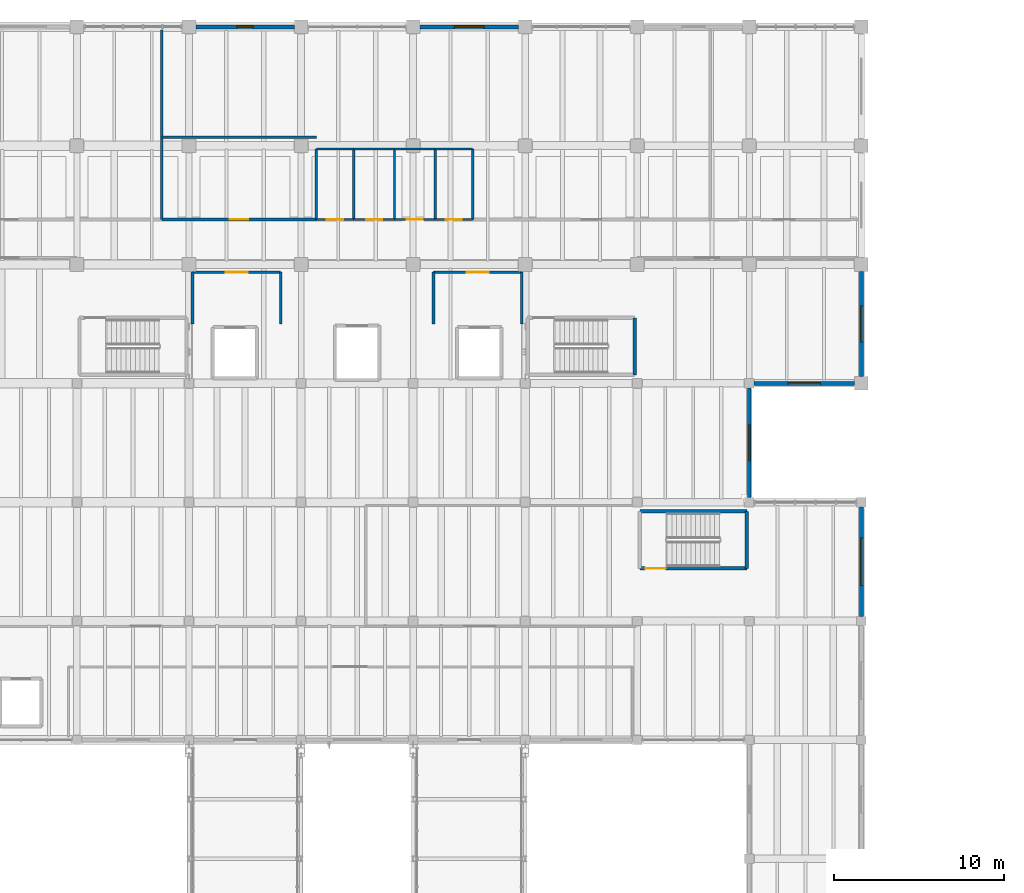
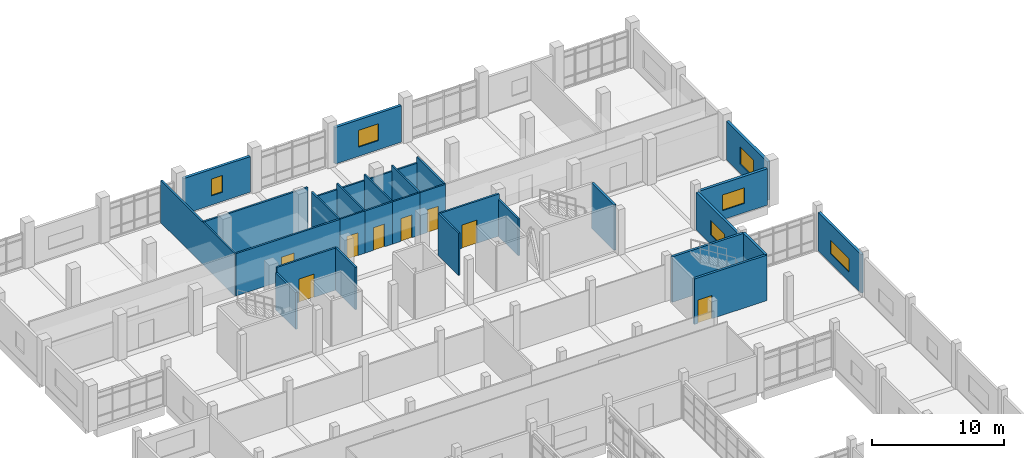
# One storey, part 54 of 67: 32 walls, 8 doors, 6 windows, 14 openings.
"""IFC4 building model written with IfcOpenShell, lengths in metres."""

from ifc_helpers import new_model, si_unit, direction, frame, frame_2d, origin, place, context, subcontext, project, spatial, rectangle, extrude, material, layer, layer_set, type_object, element, fill, save


model = new_model("IFC4")

# Units and contexts
model_context = context("Model", 3, precision=1e-05, world=origin(), true_north=direction((0.0, 1.0)))
body_context = subcontext(model_context, "Body", "Model", "MODEL_VIEW")
ifc_project = project(units=[si_unit("LENGTHUNIT", "METRE"), si_unit("AREAUNIT", "SQUARE_METRE"), si_unit("VOLUMEUNIT", "CUBIC_METRE"), si_unit("PLANEANGLEUNIT", "RADIAN"), si_unit("MASSUNIT", "GRAM", prefix="KILO")], contexts=[model_context])

# Site, building, storey
site_placement = place(None, origin())
site = spatial("IfcSite", under=ifc_project, at=site_placement, CompositionType="ELEMENT")
building_placement = place(site_placement, origin())
building = spatial("IfcBuilding", under=site, at=building_placement, Name="Ciguamira Faculty of Natural Sciences", CompositionType="ELEMENT")
storey_placement = place(building_placement, frame((0.0, 0.0, 8.39990234375)))
storey = spatial("IfcBuildingStorey", under=building, at=storey_placement, Name="L02", CompositionType="ELEMENT", Elevation=8.39990234375)

# Wall, opening, window
ifc_material_1 = material(Name="Precast concrete C40/50", Category="concrete")
ifc_layer_1 = layer(ifc_material_1, 0.239990234375, Name="Precast concrete C40/50")
ifc_layer_set_1 = layer_set([ifc_layer_1], Name="Precast concrete C40/50")
wall_type_1 = type_object("IfcWallType", Name="ExtWall_EW-02_240", PredefinedType="SOLIDWALL", material=ifc_layer_set_1)
wall_1_placement = place(storey_placement, frame((110.375, 94.0, 0.0), z_axis=(0.0, 0.0, 1.0), x_axis=(1.0, 0.0, 0.0)))
wall_1 = element("IfcWall", 1, at=wall_1_placement, inside=storey, type_object=wall_type_1, Name="L02 exterior wall 0226", PredefinedType="SOLIDWALL", context=body_context, shape_type="SweptSolid", body=[
    extrude(rectangle(XDim=5.925048828125, YDim=0.239990234375, at=frame_2d((2.96240234375, 0.0))), origin(), (0.0, 0.0, 1.0), 3.34521484375),
])
opening_1_placement = place(wall_1_placement, frame((2.012451171875, 0.0, 0.85009765625)))
opening_1 = element("IfcOpeningElement", 2, at=opening_1_placement, cuts=wall_1, Name="Opening WT-30", PredefinedType="OPENING", context=body_context, shape_type="SweptSolid", body=[
    extrude(rectangle(XDim=1.89990234375, YDim=1.449951171875, at=frame_2d((0.949951171875, 0.72509765625))), frame((0.0, 0.1298828125, 0.0), z_axis=(0.0, -1.0, 0.0), x_axis=(1.0, 0.0, 0.0)), (0.0, 0.0, 1.0), 0.260009765625),
])
ifc_material_2 = material(Name="Hurricane laminated solar glass", Category="glass")
window_type_1 = type_object("IfcWindowType", Name="Window_WT-30_1900x1450", PartitioningType="DOUBLE_PANEL_VERTICAL", PredefinedType="WINDOW", material=ifc_material_2)
window_1_placement = place(opening_1_placement, origin())
window_1 = element("IfcWindow", 3, at=window_1_placement, inside=storey, type_object=window_type_1, Name="L02 facade window 0133", OverallHeight=1.449951171875, OverallWidth=1.89990234375, PartitioningType="SINGLE_PANEL", PredefinedType="WINDOW", context=body_context, shape_type="SweptSolid", body=[
    extrude(rectangle(XDim=1.89990234375, YDim=1.449951171875, at=frame_2d((0.949951171875, 0.72509765625))), frame((0.0, 0.030029296875, 0.0), z_axis=(0.0, -1.0, 0.0), x_axis=(1.0, 0.0, 0.0)), (0.0, 0.0, 1.0), 0.06005859375),
])
fill(opening_1, window_1)

wall_2_placement = place(storey_placement, frame((77.5, 115.0, 0.0), z_axis=(0.0, 0.0, 1.0), x_axis=(1.0, 0.0, 0.0)))
wall_2 = element("IfcWall", 4, at=wall_2_placement, inside=storey, type_object=wall_type_1, Name="L02 exterior wall 0228", PredefinedType="SOLIDWALL", context=body_context, shape_type="SweptSolid", body=[
    extrude(rectangle(XDim=5.800048828125, YDim=0.239990234375, at=frame_2d((2.89990234375, 0.0))), origin(), (0.0, 0.0, 1.0), 3.28515625),
])
opening_2_placement = place(wall_2_placement, frame((2.425048828125, 0.0, 0.85009765625)))
opening_2 = element("IfcOpeningElement", 5, at=opening_2_placement, cuts=wall_2, Name="Opening WT-36", PredefinedType="OPENING", context=body_context, shape_type="SweptSolid", body=[
    extrude(rectangle(XDim=0.949951171875, YDim=1.550048828125, at=frame_2d((0.47509765625, 0.77490234375))), frame((0.0, 0.1298828125, 0.0), z_axis=(0.0, -1.0, 0.0), x_axis=(1.0, 0.0, 0.0)), (0.0, 0.0, 1.0), 0.260009765625),
])
window_type_2 = type_object("IfcWindowType", Name="Window_WT-36_950x1550", PartitioningType="DOUBLE_PANEL_VERTICAL", PredefinedType="WINDOW", material=ifc_material_2)
window_2_placement = place(opening_2_placement, origin())
window_2 = element("IfcWindow", 6, at=window_2_placement, inside=storey, type_object=window_type_2, Name="L02 facade window 0135", OverallHeight=1.550048828125, OverallWidth=0.949951171875, PartitioningType="SINGLE_PANEL", PredefinedType="WINDOW", context=body_context, shape_type="SweptSolid", body=[
    extrude(rectangle(XDim=0.949951171875, YDim=1.550048828125, at=frame_2d((0.47509765625, 0.77490234375))), frame((0.0, 0.030029296875, 0.0), z_axis=(0.0, -1.0, 0.0), x_axis=(1.0, 0.0, 0.0)), (0.0, 0.0, 1.0), 0.06005859375),
])
fill(opening_2, window_2)

wall_3_placement = place(storey_placement, frame((90.699951171875, 115.0, 0.0), z_axis=(0.0, 0.0, 1.0), x_axis=(1.0, 0.0, 0.0)))
wall_3 = element("IfcWall", 7, at=wall_3_placement, inside=storey, type_object=wall_type_1, Name="L02 exterior wall 0229", PredefinedType="SOLIDWALL", context=body_context, shape_type="SweptSolid", body=[
    extrude(rectangle(XDim=5.800048828125, YDim=0.239990234375, at=frame_2d((2.89990234375, 0.0))), origin(), (0.0, 0.0, 1.0), 3.364990234375),
])
opening_3_placement = place(wall_3_placement, frame((2.02490234375, 0.0, 0.85009765625)))
opening_3 = element("IfcOpeningElement", 8, at=opening_3_placement, cuts=wall_3, Name="Opening WT-39", PredefinedType="OPENING", context=body_context, shape_type="SweptSolid", body=[
    extrude(rectangle(XDim=1.75, YDim=1.550048828125, at=frame_2d((0.875, 0.77490234375))), frame((0.0, 0.1298828125, 0.0), z_axis=(0.0, -1.0, 0.0), x_axis=(1.0, 0.0, 0.0)), (0.0, 0.0, 1.0), 0.260009765625),
])
window_type_3 = type_object("IfcWindowType", Name="Window_WT-39_1750x1550", PartitioningType="DOUBLE_PANEL_VERTICAL", PredefinedType="WINDOW", material=ifc_material_2)
window_3_placement = place(opening_3_placement, origin())
window_3 = element("IfcWindow", 9, at=window_3_placement, inside=storey, type_object=window_type_3, Name="L02 facade window 0136", OverallHeight=1.550048828125, OverallWidth=1.75, PartitioningType="SINGLE_PANEL", PredefinedType="WINDOW", context=body_context, shape_type="SweptSolid", body=[
    extrude(rectangle(XDim=1.75, YDim=1.550048828125, at=frame_2d((0.875, 0.77490234375))), frame((0.0, 0.030029296875, 0.0), z_axis=(0.0, -1.0, 0.0), x_axis=(1.0, 0.0, 0.0)), (0.0, 0.0, 1.0), 0.06005859375),
])
fill(opening_3, window_3)

wall_4_placement = place(storey_placement, frame((116.699951171875, 94.39990234375, 0.0), z_axis=(0.0, 0.0, 1.0), x_axis=(0.0, 1.0, 0.0)))
wall_4 = element("IfcWall", 10, at=wall_4_placement, inside=storey, type_object=wall_type_1, Name="L02 exterior wall 0259", PredefinedType="SOLIDWALL", context=body_context, shape_type="SweptSolid", body=[
    extrude(rectangle(XDim=6.2001953125, YDim=0.239990234375, at=frame_2d((3.10009765625, 0.0))), origin(), (0.0, 0.0, 1.0), 3.565185546875),
])
opening_4_placement = place(wall_4_placement, frame((2.050048828125, 0.0, 0.85009765625)))
opening_4 = element("IfcOpeningElement", 11, at=opening_4_placement, cuts=wall_4, Name="Opening WT-22", PredefinedType="OPENING", context=body_context, shape_type="SweptSolid", body=[
    extrude(rectangle(XDim=2.10009765625, YDim=1.60009765625, at=frame_2d((1.050048828125, 0.800048828125))), frame((0.0, 0.1298828125, 0.0), z_axis=(0.0, -1.0, 0.0), x_axis=(1.0, 0.0, 0.0)), (0.0, 0.0, 1.0), 0.260009765625),
])
window_type_4 = type_object("IfcWindowType", Name="Window_WT-22_2100x1600", PartitioningType="DOUBLE_PANEL_VERTICAL", PredefinedType="WINDOW", material=ifc_material_2)
window_4_placement = place(opening_4_placement, origin())
window_4 = element("IfcWindow", 12, at=window_4_placement, inside=storey, type_object=window_type_4, Name="L02 facade window 0164", OverallHeight=1.60009765625, OverallWidth=2.10009765625, PartitioningType="SINGLE_PANEL", PredefinedType="WINDOW", context=body_context, shape_type="SweptSolid", body=[
    extrude(rectangle(XDim=2.10009765625, YDim=1.60009765625, at=frame_2d((1.050048828125, 0.800048828125))), frame((0.0, 0.030029296875, 0.0), z_axis=(0.0, -1.0, 0.0), x_axis=(1.0, 0.0, 0.0)), (0.0, 0.0, 1.0), 0.06005859375),
])
fill(opening_4, window_4)

ifc_layer_2 = layer(ifc_material_1, 0.219970703125, Name="Precast concrete C40/50")
ifc_layer_set_2 = layer_set([ifc_layer_2], Name="Precast concrete C40/50")
wall_type_2 = type_object("IfcWallType", Name="ExtWall_EW-03_220", PredefinedType="SOLIDWALL", material=ifc_layer_set_2)
wall_5_placement = place(storey_placement, frame((110.10009765625, 87.27490234375, 0.0), z_axis=(0.0, 0.0, 1.0), x_axis=(0.0, 1.0, 0.0)))
wall_5 = element("IfcWall", 13, at=wall_5_placement, inside=storey, type_object=wall_type_2, Name="L02 exterior wall 0251", PredefinedType="SOLIDWALL", context=body_context, shape_type="SweptSolid", body=[
    extrude(rectangle(XDim=6.4501953125, YDim=0.219970703125, at=frame_2d((3.22509765625, 0.0))), origin(), (0.0, 0.0, 1.0), 3.465087890625),
])
opening_5_placement = place(wall_5_placement, frame((2.175048828125, 0.0, 0.85009765625)))
opening_5 = element("IfcOpeningElement", 14, at=opening_5_placement, cuts=wall_5, Name="Opening WT-06", PredefinedType="OPENING", context=body_context, shape_type="SweptSolid", body=[
    extrude(rectangle(XDim=2.10009765625, YDim=1.35009765625, at=frame_2d((1.050048828125, 0.675048828125))), frame((0.0, 0.119873046875, 0.0), z_axis=(0.0, -1.0, 0.0), x_axis=(1.0, 0.0, 0.0)), (0.0, 0.0, 1.0), 0.239990234375),
])
window_type_5 = type_object("IfcWindowType", Name="Window_WT-06_2100x1350", PartitioningType="DOUBLE_PANEL_VERTICAL", PredefinedType="WINDOW", material=ifc_material_2)
window_5_placement = place(opening_5_placement, origin())
window_5 = element("IfcWindow", 15, at=window_5_placement, inside=storey, type_object=window_type_5, Name="L02 facade window 0157", OverallHeight=1.35009765625, OverallWidth=2.10009765625, PartitioningType="SINGLE_PANEL", PredefinedType="WINDOW", context=body_context, shape_type="SweptSolid", body=[
    extrude(rectangle(XDim=2.10009765625, YDim=1.35009765625, at=frame_2d((1.050048828125, 0.675048828125))), frame((0.0, 0.030029296875, 0.0), z_axis=(0.0, -1.0, 0.0), x_axis=(1.0, 0.0, 0.0)), (0.0, 0.0, 1.0), 0.06005859375),
])
fill(opening_5, window_5)

wall_6_placement = place(storey_placement, frame((116.699951171875, 80.27490234375, 0.0), z_axis=(0.0, 0.0, 1.0), x_axis=(0.0, 1.0, 0.0)))
wall_6 = element("IfcWall", 16, at=wall_6_placement, inside=storey, type_object=wall_type_2, Name="L02 exterior wall 0258", PredefinedType="SOLIDWALL", context=body_context, shape_type="SweptSolid", body=[
    extrude(rectangle(XDim=6.4501953125, YDim=0.219970703125, at=frame_2d((3.22509765625, 0.0))), origin(), (0.0, 0.0, 1.0), 3.565185546875),
])
opening_6_placement = place(wall_6_placement, frame((1.824951171875, 0.0, 0.85009765625)))
opening_6 = element("IfcOpeningElement", 17, at=opening_6_placement, cuts=wall_6, Name="Opening WT-20", PredefinedType="OPENING", context=body_context, shape_type="SweptSolid", body=[
    extrude(rectangle(XDim=2.800048828125, YDim=1.25, at=frame_2d((1.39990234375, 0.625))), frame((0.0, 0.119873046875, 0.0), z_axis=(0.0, -1.0, 0.0), x_axis=(1.0, 0.0, 0.0)), (0.0, 0.0, 1.0), 0.239990234375),
])
window_type_6 = type_object("IfcWindowType", Name="Window_WT-20_2800x1250", PartitioningType="DOUBLE_PANEL_VERTICAL", PredefinedType="WINDOW", material=ifc_material_2)
window_6_placement = place(opening_6_placement, origin())
window_6 = element("IfcWindow", 18, at=window_6_placement, inside=storey, type_object=window_type_6, Name="L02 facade window 0163", OverallHeight=1.25, OverallWidth=2.800048828125, PartitioningType="SINGLE_PANEL", PredefinedType="WINDOW", context=body_context, shape_type="SweptSolid", body=[
    extrude(rectangle(XDim=2.800048828125, YDim=1.25, at=frame_2d((1.39990234375, 0.625))), frame((0.0, 0.030029296875, 0.0), z_axis=(0.0, -1.0, 0.0), x_axis=(1.0, 0.0, 0.0)), (0.0, 0.0, 1.0), 0.06005859375),
])
fill(opening_6, window_6)

# Wall
ifc_material_3 = material(Name="Concrete C40/50", Category="concrete")
ifc_layer_3 = layer(ifc_material_3, 0.199951171875, Name="Concrete C40/50")
ifc_layer_set_3 = layer_set([ifc_layer_3], Name="Concrete C40/50")
wall_type_3 = type_object("IfcWallType", Name="IntWall_CW-S20_200", PredefinedType="SHEAR", material=ifc_layer_set_3)
wall_7_placement = place(storey_placement, frame((103.35009765625, 94.5, 0.0), z_axis=(0.0, 0.0, 1.0), x_axis=(0.0, 1.0, 0.0)))
element("IfcWall", 19, at=wall_7_placement, inside=storey, type_object=wall_type_3, Name="L02 ST-T2 core shear wall east", PredefinedType="SHEAR", context=body_context, shape_type="SweptSolid", body=[
    extrude(rectangle(XDim=3.360107421875, YDim=0.199951171875, at=frame_2d((1.68017578125, 0.0))), origin(), (0.0, 0.0, 1.0), 4.2001953125),
])

# Wall, opening, door
wall_8_placement = place(storey_placement, frame((103.64990234375, 83.10009765625, 0.0), z_axis=(0.0, 0.0, 1.0), x_axis=(1.0, 0.0, 0.0)))
wall_8 = element("IfcWall", 20, at=wall_8_placement, inside=storey, type_object=wall_type_3, Name="L02 ST-W2 core shear wall south", PredefinedType="SHEAR", context=body_context, shape_type="SweptSolid", body=[
    extrude(rectangle(XDim=6.300048828125, YDim=0.199951171875, at=frame_2d((3.14990234375, 0.0))), origin(), (0.0, 0.0, 1.0), 4.2001953125),
])
opening_7_placement = place(wall_8_placement, frame((0.320068359375, 0.0, 0.0)))
opening_7 = element("IfcOpeningElement", 21, at=opening_7_placement, cuts=wall_8, Name="Opening ID-14", PredefinedType="OPENING", context=body_context, shape_type="SweptSolid", body=[
    extrude(rectangle(XDim=1.199951171875, YDim=2.14990234375, at=frame_2d((0.60009765625, 1.074951171875))), frame((0.0, 0.10986328125, 0.0), z_axis=(0.0, -1.0, 0.0), x_axis=(1.0, 0.0, 0.0)), (0.0, 0.0, 1.0), 0.219970703125),
])
ifc_material_4 = material(Name="Protected exit stair fire door")
door_type_1 = type_object("IfcDoorType", Name="IntDoor_ID-14_1200x2150", OperationType="NOTDEFINED", PredefinedType="DOOR", material=ifc_material_4)
door_1_placement = place(opening_7_placement, origin())
door_1 = element("IfcDoor", 22, at=door_1_placement, inside=storey, type_object=door_type_1, Name="L02 ST-W2 exit stair fire door", OperationType="SINGLE_SWING_RIGHT", OverallHeight=2.14990234375, OverallWidth=1.199951171875, PredefinedType="DOOR", context=body_context, shape_type="SweptSolid", body=[
    extrude(rectangle(XDim=1.199951171875, YDim=2.14990234375, at=frame_2d((0.60009765625, 1.074951171875))), frame((0.0, 0.02490234375, 0.0), z_axis=(0.0, -1.0, 0.0), x_axis=(1.0, 0.0, 0.0)), (0.0, 0.0, 1.0), 0.050048828125),
])
fill(opening_7, door_1)

# Walls
wall_9_placement = place(storey_placement, frame((103.64990234375, 86.4599609375, 0.0), z_axis=(0.0, 0.0, 1.0), x_axis=(1.0, 0.0, 0.0)))
element("IfcWall", 23, at=wall_9_placement, inside=storey, type_object=wall_type_3, Name="L02 ST-W2 core shear wall north", PredefinedType="SHEAR", context=body_context, shape_type="SweptSolid", body=[
    extrude(rectangle(XDim=6.300048828125, YDim=0.199951171875, at=frame_2d((3.14990234375, 0.0))), origin(), (0.0, 0.0, 1.0), 4.2001953125),
])
wall_10_placement = place(storey_placement, frame((109.949951171875, 83.10009765625, 0.0), z_axis=(0.0, 0.0, 1.0), x_axis=(0.0, 1.0, 0.0)))
element("IfcWall", 24, at=wall_10_placement, inside=storey, type_object=wall_type_3, Name="L02 ST-W2 core shear wall east", PredefinedType="SHEAR", context=body_context, shape_type="SweptSolid", body=[
    extrude(rectangle(XDim=3.35986328125, YDim=0.199951171875, at=frame_2d((1.679931640625, 0.0))), origin(), (0.0, 0.0, 1.0), 4.2001953125),
])

# Wall, opening, door
ifc_material_5 = material(Name="Fire-rated blockwork wall", Category="masonry")
ifc_layer_4 = layer(ifc_material_5, 0.159912109375, Name="Fire-rated blockwork wall")
ifc_layer_set_4 = layer_set([ifc_layer_4], Name="Fire-rated blockwork wall")
wall_type_4 = type_object("IfcWallType", Name="IntWall_IW-F16_160", PredefinedType="SOLIDWALL", material=ifc_layer_set_4)
wall_11_placement = place(storey_placement, frame((77.300048828125, 100.550048828125, 0.0), z_axis=(0.0, 0.0, 1.0), x_axis=(1.0, 0.0, 0.0)))
wall_11 = element("IfcWall", 25, at=wall_11_placement, inside=storey, type_object=wall_type_4, Name="L02 Firefighting Lift Lobby 1 partition north", PredefinedType="SOLIDWALL", context=body_context, shape_type="SweptSolid", body=[
    extrude(rectangle(XDim=5.199951171875, YDim=0.159912109375, at=frame_2d((2.60009765625, 0.0))), origin(), (0.0, 0.0, 1.0), 3.900146484375),
])
opening_8_placement = place(wall_11_placement, frame((1.949951171875, 0.0, 0.0)))
opening_8 = element("IfcOpeningElement", 26, at=opening_8_placement, cuts=wall_11, Name="Opening ID-15", PredefinedType="OPENING", context=body_context, shape_type="SweptSolid", body=[
    extrude(rectangle(XDim=1.300048828125, YDim=2.14990234375, at=frame_2d((0.64990234375, 1.074951171875))), frame((0.0, 0.08984375, 0.0), z_axis=(0.0, -1.0, 0.0), x_axis=(1.0, 0.0, 0.0)), (0.0, 0.0, 1.0), 0.179931640625),
])
ifc_material_6 = material(Name="Firefighting lift lobby fire door")
door_type_2 = type_object("IfcDoorType", Name="IntDoor_ID-15_1300x2150", OperationType="NOTDEFINED", PredefinedType="DOOR", material=ifc_material_6)
door_2_placement = place(opening_8_placement, frame((1.300048828125, 0.0, 0.0), z_axis=(0.0, 0.0, 1.0), x_axis=(-1.0, 0.0, 0.0)))
door_2 = element("IfcDoor", 27, at=door_2_placement, inside=storey, type_object=door_type_2, Name="L02 Firefighting Lift Lobby 1 door", OperationType="SINGLE_SWING_RIGHT", OverallHeight=2.14990234375, OverallWidth=1.300048828125, PredefinedType="DOOR", context=body_context, shape_type="SweptSolid", body=[
    extrude(rectangle(XDim=1.300048828125, YDim=2.14990234375, at=frame_2d((0.64990234375, 1.074951171875))), frame((0.0, 0.02490234375, 0.0), z_axis=(0.0, -1.0, 0.0), x_axis=(1.0, 0.0, 0.0)), (0.0, 0.0, 1.0), 0.050048828125),
])
fill(opening_8, door_2)

# Walls
wall_12_placement = place(storey_placement, frame((77.300048828125, 97.5, 0.0), z_axis=(0.0, 0.0, 1.0), x_axis=(0.0, 1.0, 0.0)))
element("IfcWall", 28, at=wall_12_placement, inside=storey, type_object=wall_type_4, Name="L02 Firefighting Lift Lobby 1 partition west", PredefinedType="SOLIDWALL", context=body_context, shape_type="SweptSolid", body=[
    extrude(rectangle(XDim=3.050048828125, YDim=0.159912109375, at=frame_2d((1.52490234375, 0.0))), origin(), (0.0, 0.0, 1.0), 3.405029296875),
])
wall_13_placement = place(storey_placement, frame((82.5, 97.5, 0.0), z_axis=(0.0, 0.0, 1.0), x_axis=(0.0, 1.0, 0.0)))
element("IfcWall", 29, at=wall_13_placement, inside=storey, type_object=wall_type_4, Name="L02 Firefighting Lift Lobby 1 partition east", PredefinedType="SOLIDWALL", context=body_context, shape_type="SweptSolid", body=[
    extrude(rectangle(XDim=3.050048828125, YDim=0.159912109375, at=frame_2d((1.52490234375, 0.0))), origin(), (0.0, 0.0, 1.0), 3.900146484375),
])

# Wall, opening, door
wall_14_placement = place(storey_placement, frame((91.5, 100.550048828125, 0.0), z_axis=(0.0, 0.0, 1.0), x_axis=(1.0, 0.0, 0.0)))
wall_14 = element("IfcWall", 30, at=wall_14_placement, inside=storey, type_object=wall_type_4, Name="L02 Firefighting Lift Lobby 2 partition north", PredefinedType="SOLIDWALL", context=body_context, shape_type="SweptSolid", body=[
    extrude(rectangle(XDim=5.199951171875, YDim=0.159912109375, at=frame_2d((2.60009765625, 0.0))), origin(), (0.0, 0.0, 1.0), 3.900146484375),
])
opening_9_placement = place(wall_14_placement, frame((1.949951171875, 0.0, 0.0)))
opening_9 = element("IfcOpeningElement", 31, at=opening_9_placement, cuts=wall_14, Name="Opening ID-15", PredefinedType="OPENING", context=body_context, shape_type="SweptSolid", body=[
    extrude(rectangle(XDim=1.300048828125, YDim=2.14990234375, at=frame_2d((0.64990234375, 1.074951171875))), frame((0.0, 0.08984375, 0.0), z_axis=(0.0, -1.0, 0.0), x_axis=(1.0, 0.0, 0.0)), (0.0, 0.0, 1.0), 0.179931640625),
])
door_3_placement = place(opening_9_placement, frame((1.300048828125, 0.0, 0.0), z_axis=(0.0, 0.0, 1.0), x_axis=(-1.0, 0.0, 0.0)))
door_3 = element("IfcDoor", 32, at=door_3_placement, inside=storey, type_object=door_type_2, Name="L02 Firefighting Lift Lobby 2 door", OperationType="SINGLE_SWING_LEFT", OverallHeight=2.14990234375, OverallWidth=1.300048828125, PredefinedType="DOOR", context=body_context, shape_type="SweptSolid", body=[
    extrude(rectangle(XDim=1.300048828125, YDim=2.14990234375, at=frame_2d((0.64990234375, 1.074951171875))), frame((0.0, 0.02490234375, 0.0), z_axis=(0.0, -1.0, 0.0), x_axis=(1.0, 0.0, 0.0)), (0.0, 0.0, 1.0), 0.050048828125),
])
fill(opening_9, door_3)

# Walls
wall_15_placement = place(storey_placement, frame((91.5, 97.5, 0.0), z_axis=(0.0, 0.0, 1.0), x_axis=(0.0, 1.0, 0.0)))
element("IfcWall", 33, at=wall_15_placement, inside=storey, type_object=wall_type_4, Name="L02 Firefighting Lift Lobby 2 partition west", PredefinedType="SOLIDWALL", context=body_context, shape_type="SweptSolid", body=[
    extrude(rectangle(XDim=3.050048828125, YDim=0.159912109375, at=frame_2d((1.52490234375, 0.0))), origin(), (0.0, 0.0, 1.0), 3.900146484375),
])
wall_16_placement = place(storey_placement, frame((96.699951171875, 97.5, 0.0), z_axis=(0.0, 0.0, 1.0), x_axis=(0.0, 1.0, 0.0)))
element("IfcWall", 34, at=wall_16_placement, inside=storey, type_object=wall_type_4, Name="L02 Firefighting Lift Lobby 2 partition east", PredefinedType="SOLIDWALL", context=body_context, shape_type="SweptSolid", body=[
    extrude(rectangle(XDim=3.050048828125, YDim=0.159912109375, at=frame_2d((1.52490234375, 0.0))), origin(), (0.0, 0.0, 1.0), 3.405029296875),
])

# Wall, opening, door
wall_17_placement = place(storey_placement, frame((75.5, 103.64990234375, 0.0), z_axis=(0.0, 0.0, 1.0), x_axis=(1.0, 0.0, 0.0)))
wall_17 = element("IfcWall", 35, at=wall_17_placement, inside=storey, type_object=wall_type_4, Name="L02 Boulevard Fire Command Room partition south", PredefinedType="SOLIDWALL", context=body_context, shape_type="SweptSolid", body=[
    extrude(rectangle(XDim=9.10009765625, YDim=0.159912109375, at=frame_2d((4.550048828125, 0.0))), origin(), (0.0, 0.0, 1.0), 3.900146484375),
])
opening_10_placement = place(wall_17_placement, frame((4.0, 0.0, 0.0)))
opening_10 = element("IfcOpeningElement", 36, at=opening_10_placement, cuts=wall_17, Name="Opening ID-16", PredefinedType="OPENING", context=body_context, shape_type="SweptSolid", body=[
    extrude(rectangle(XDim=1.10009765625, YDim=2.199951171875, at=frame_2d((0.550048828125, 1.10009765625))), frame((0.0, 0.08984375, 0.0), z_axis=(0.0, -1.0, 0.0), x_axis=(1.0, 0.0, 0.0)), (0.0, 0.0, 1.0), 0.179931640625),
])
ifc_material_7 = material(Name="Fire command centre rated door")
door_type_3 = type_object("IfcDoorType", Name="IntDoor_ID-16_1100x2200", OperationType="NOTDEFINED", PredefinedType="DOOR", material=ifc_material_7)
door_4_placement = place(opening_10_placement, origin())
door_4 = element("IfcDoor", 37, at=door_4_placement, inside=storey, type_object=door_type_3, Name="L02 Boulevard Fire Command Room door", OperationType="SINGLE_SWING_RIGHT", OverallHeight=2.199951171875, OverallWidth=1.10009765625, PredefinedType="DOOR", context=body_context, shape_type="SweptSolid", body=[
    extrude(rectangle(XDim=1.10009765625, YDim=2.199951171875, at=frame_2d((0.550048828125, 1.10009765625))), frame((0.0, 0.02490234375, 0.0), z_axis=(0.0, -1.0, 0.0), x_axis=(1.0, 0.0, 0.0)), (0.0, 0.0, 1.0), 0.050048828125),
])
fill(opening_10, door_4)

# Walls
wall_18_placement = place(storey_placement, frame((75.5, 108.5, 0.0), z_axis=(0.0, 0.0, 1.0), x_axis=(1.0, 0.0, 0.0)))
element("IfcWall", 38, at=wall_18_placement, inside=storey, type_object=wall_type_4, Name="L02 Boulevard Fire Command Room partition north", PredefinedType="SOLIDWALL", context=body_context, shape_type="SweptSolid", body=[
    extrude(rectangle(XDim=9.10009765625, YDim=0.159912109375, at=frame_2d((4.550048828125, 0.0))), origin(), (0.0, 0.0, 1.0), 3.900146484375),
])
ifc_material_8 = material(Name="Acoustic laboratory corridor partition")
ifc_layer_5 = layer(ifc_material_8, 0.14990234375, Name="Acoustic laboratory corridor partition")
ifc_layer_set_5 = layer_set([ifc_layer_5], Name="Acoustic laboratory corridor partition")
wall_type_5 = type_object("IfcWallType", Name="IntWall_IW-G15_150", PredefinedType="PARTITIONING", material=ifc_layer_set_5)
wall_19_placement = place(storey_placement, frame((75.5, 103.64990234375, 0.0), z_axis=(0.0, 0.0, 1.0), x_axis=(0.0, 1.0, 0.0)))
element("IfcWall", 39, at=wall_19_placement, inside=storey, type_object=wall_type_5, Name="L02 Cellular Biology Research Laboratory partition east", PredefinedType="PARTITIONING", context=body_context, shape_type="SweptSolid", body=[
    extrude(rectangle(XDim=11.150146484375, YDim=0.14990234375, at=frame_2d((5.5751953125, 0.0))), origin(), (0.0, 0.0, 1.0), 3.900146484375),
])

# Wall, opening, door
ifc_material_9 = material(Name="Moisture-resistant service chase wall")
ifc_layer_6 = layer(ifc_material_9, 0.139892578125, Name="Moisture-resistant service chase wall")
ifc_layer_set_6 = layer_set([ifc_layer_6], Name="Moisture-resistant service chase wall")
wall_type_6 = type_object("IfcWallType", Name="IntWall_IW-P14_140", PredefinedType="PLUMBINGWALL", material=ifc_layer_set_6)
wall_20_placement = place(storey_placement, frame((84.60009765625, 103.64990234375, 0.0), z_axis=(0.0, 0.0, 1.0), x_axis=(1.0, 0.0, 0.0)))
wall_20 = element("IfcWall", 40, at=wall_20_placement, inside=storey, type_object=wall_type_6, Name="L02 Accessible WC partition south", PredefinedType="PLUMBINGWALL", context=body_context, shape_type="SweptSolid", body=[
    extrude(rectangle(XDim=2.199951171875, YDim=0.139892578125, at=frame_2d((1.10009765625, 0.0))), origin(), (0.0, 0.0, 1.0), 3.900146484375),
])
opening_11_placement = place(wall_20_placement, frame((0.625, 0.0, 0.0)))
opening_11 = element("IfcOpeningElement", 41, at=opening_11_placement, cuts=wall_20, Name="Opening ID-02", PredefinedType="OPENING", context=body_context, shape_type="SweptSolid", body=[
    extrude(rectangle(XDim=0.949951171875, YDim=2.10009765625, at=frame_2d((0.47509765625, 1.050048828125))), frame((0.0, 0.079833984375, 0.0), z_axis=(0.0, -1.0, 0.0), x_axis=(1.0, 0.0, 0.0)), (0.0, 0.0, 1.0), 0.159912109375),
])
ifc_material_10 = material(Name="Accessible WC outward-clear door")
door_type_4 = type_object("IfcDoorType", Name="IntDoor_ID-02_950x2100", OperationType="NOTDEFINED", PredefinedType="DOOR", material=ifc_material_10)
door_5_placement = place(opening_11_placement, origin())
door_5 = element("IfcDoor", 42, at=door_5_placement, inside=storey, type_object=door_type_4, Name="L02 Accessible WC door", OperationType="SINGLE_SWING_LEFT", OverallHeight=2.10009765625, OverallWidth=0.949951171875, PredefinedType="DOOR", context=body_context, shape_type="SweptSolid", body=[
    extrude(rectangle(XDim=0.949951171875, YDim=2.10009765625, at=frame_2d((0.47509765625, 1.050048828125))), frame((0.0, 0.02490234375, 0.0), z_axis=(0.0, -1.0, 0.0), x_axis=(1.0, 0.0, 0.0)), (0.0, 0.0, 1.0), 0.050048828125),
])
fill(opening_11, door_5)

# Walls
wall_21_placement = place(storey_placement, frame((84.60009765625, 107.800048828125, 0.0), z_axis=(0.0, 0.0, 1.0), x_axis=(1.0, 0.0, 0.0)))
element("IfcWall", 43, at=wall_21_placement, inside=storey, type_object=wall_type_6, Name="L02 Accessible WC partition north", PredefinedType="PLUMBINGWALL", context=body_context, shape_type="SweptSolid", body=[
    extrude(rectangle(XDim=2.199951171875, YDim=0.139892578125, at=frame_2d((1.10009765625, 0.0))), origin(), (0.0, 0.0, 1.0), 3.364990234375),
])
for number, where, z_axis, x_axis, name in (
    (44, (84.60009765625, 103.64990234375, 0.0), (0.0, 0.0, 1.0), (0.0, 1.0, 0.0), "L02 Accessible WC partition west"),
    (45, (86.800048828125, 103.64990234375, 0.0), (0.0, 0.0, 1.0), (0.0, 1.0, 0.0), "L02 Accessible WC partition east"),
):
    element("IfcWall", number, at=place(storey_placement, frame(where, z_axis=z_axis, x_axis=x_axis)), inside=storey, type_object=wall_type_6, Name=name, PredefinedType="PLUMBINGWALL", context=body_context, shape_type="SweptSolid", body=[
        extrude(rectangle(XDim=4.150146484375, YDim=0.139892578125, at=frame_2d((2.0751953125, 0.0))), origin(), (0.0, 0.0, 1.0), 3.900146484375),
    ])

# Wall, opening, door
wall_22_placement = place(storey_placement, frame((86.800048828125, 103.64990234375, 0.0), z_axis=(0.0, 0.0, 1.0), x_axis=(1.0, 0.0, 0.0)))
wall_22 = element("IfcWall", 46, at=wall_22_placement, inside=storey, type_object=wall_type_6, Name="L02 Public Restroom Female partition south", PredefinedType="PLUMBINGWALL", context=body_context, shape_type="SweptSolid", body=[
    extrude(rectangle(XDim=2.39990234375, YDim=0.139892578125, at=frame_2d((1.199951171875, 0.0))), origin(), (0.0, 0.0, 1.0), 3.900146484375),
])
opening_12_placement = place(wall_22_placement, frame((0.72509765625, 0.0, 0.0)))
opening_12 = element("IfcOpeningElement", 47, at=opening_12_placement, cuts=wall_22, Name="Opening ID-02", PredefinedType="OPENING", context=body_context, shape_type="SweptSolid", body=[
    extrude(rectangle(XDim=0.949951171875, YDim=2.10009765625, at=frame_2d((0.47509765625, 1.050048828125))), frame((0.0, 0.079833984375, 0.0), z_axis=(0.0, -1.0, 0.0), x_axis=(1.0, 0.0, 0.0)), (0.0, 0.0, 1.0), 0.159912109375),
])
door_6_placement = place(opening_12_placement, origin())
door_6 = element("IfcDoor", 48, at=door_6_placement, inside=storey, type_object=door_type_4, Name="L02 Public Restroom Female door", OperationType="SINGLE_SWING_RIGHT", OverallHeight=2.10009765625, OverallWidth=0.949951171875, PredefinedType="DOOR", context=body_context, shape_type="SweptSolid", body=[
    extrude(rectangle(XDim=0.949951171875, YDim=2.10009765625, at=frame_2d((0.47509765625, 1.050048828125))), frame((0.0, 0.02490234375, 0.0), z_axis=(0.0, -1.0, 0.0), x_axis=(1.0, 0.0, 0.0)), (0.0, 0.0, 1.0), 0.050048828125),
])
fill(opening_12, door_6)

# Walls
wall_23_placement = place(storey_placement, frame((86.800048828125, 107.800048828125, 0.0), z_axis=(0.0, 0.0, 1.0), x_axis=(1.0, 0.0, 0.0)))
element("IfcWall", 49, at=wall_23_placement, inside=storey, type_object=wall_type_6, Name="L02 Public Restroom Female partition north", PredefinedType="PLUMBINGWALL", context=body_context, shape_type="SweptSolid", body=[
    extrude(rectangle(XDim=2.39990234375, YDim=0.139892578125, at=frame_2d((1.199951171875, 0.0))), origin(), (0.0, 0.0, 1.0), 3.364990234375),
])
wall_24_placement = place(storey_placement, frame((89.199951171875, 103.64990234375, 0.0), z_axis=(0.0, 0.0, 1.0), x_axis=(0.0, 1.0, 0.0)))
element("IfcWall", 50, at=wall_24_placement, inside=storey, type_object=wall_type_6, Name="L02 Public Restroom Female partition east", PredefinedType="PLUMBINGWALL", context=body_context, shape_type="SweptSolid", body=[
    extrude(rectangle(XDim=4.150146484375, YDim=0.139892578125, at=frame_2d((2.0751953125, 0.0))), origin(), (0.0, 0.0, 1.0), 3.900146484375),
])

# Wall, opening, door
wall_25_placement = place(storey_placement, frame((89.199951171875, 103.64990234375, 0.0), z_axis=(0.0, 0.0, 1.0), x_axis=(1.0, 0.0, 0.0)))
wall_25 = element("IfcWall", 51, at=wall_25_placement, inside=storey, type_object=wall_type_6, Name="L02 Public Restroom Male partition south", PredefinedType="PLUMBINGWALL", context=body_context, shape_type="SweptSolid", body=[
    extrude(rectangle(XDim=2.400146484375, YDim=0.139892578125, at=frame_2d((1.2001953125, 0.0))), origin(), (0.0, 0.0, 1.0), 3.900146484375),
])
opening_13_placement = place(wall_25_placement, frame((0.72509765625, 0.0, 0.0)))
opening_13 = element("IfcOpeningElement", 52, at=opening_13_placement, cuts=wall_25, Name="Opening ID-02", PredefinedType="OPENING", context=body_context, shape_type="SweptSolid", body=[
    extrude(rectangle(XDim=0.949951171875, YDim=2.10009765625, at=frame_2d((0.47509765625, 1.050048828125))), frame((0.0, 0.079833984375, 0.0), z_axis=(0.0, -1.0, 0.0), x_axis=(1.0, 0.0, 0.0)), (0.0, 0.0, 1.0), 0.159912109375),
])
door_7_placement = place(opening_13_placement, origin())
door_7 = element("IfcDoor", 53, at=door_7_placement, inside=storey, type_object=door_type_4, Name="L02 Public Restroom Male door", OperationType="SINGLE_SWING_LEFT", OverallHeight=2.10009765625, OverallWidth=0.949951171875, PredefinedType="DOOR", context=body_context, shape_type="SweptSolid", body=[
    extrude(rectangle(XDim=0.949951171875, YDim=2.10009765625, at=frame_2d((0.47509765625, 1.050048828125))), frame((0.0, 0.02490234375, 0.0), z_axis=(0.0, -1.0, 0.0), x_axis=(1.0, 0.0, 0.0)), (0.0, 0.0, 1.0), 0.050048828125),
])
fill(opening_13, door_7)

# Walls
wall_26_placement = place(storey_placement, frame((89.199951171875, 107.800048828125, 0.0), z_axis=(0.0, 0.0, 1.0), x_axis=(1.0, 0.0, 0.0)))
element("IfcWall", 54, at=wall_26_placement, inside=storey, type_object=wall_type_6, Name="L02 Public Restroom Male partition north", PredefinedType="PLUMBINGWALL", context=body_context, shape_type="SweptSolid", body=[
    extrude(rectangle(XDim=2.400146484375, YDim=0.139892578125, at=frame_2d((1.2001953125, 0.0))), origin(), (0.0, 0.0, 1.0), 3.364990234375),
])
wall_27_placement = place(storey_placement, frame((91.60009765625, 103.64990234375, 0.0), z_axis=(0.0, 0.0, 1.0), x_axis=(0.0, 1.0, 0.0)))
element("IfcWall", 55, at=wall_27_placement, inside=storey, type_object=wall_type_6, Name="L02 Public Restroom Male partition east", PredefinedType="PLUMBINGWALL", context=body_context, shape_type="SweptSolid", body=[
    extrude(rectangle(XDim=4.150146484375, YDim=0.139892578125, at=frame_2d((2.0751953125, 0.0))), origin(), (0.0, 0.0, 1.0), 3.900146484375),
])

# Wall, opening, door
wall_28_placement = place(storey_placement, frame((91.60009765625, 103.64990234375, 0.0), z_axis=(0.0, 0.0, 1.0), x_axis=(1.0, 0.0, 0.0)))
wall_28 = element("IfcWall", 56, at=wall_28_placement, inside=storey, type_object=wall_type_6, Name="L02 Staff Restroom partition south", PredefinedType="PLUMBINGWALL", context=body_context, shape_type="SweptSolid", body=[
    extrude(rectangle(XDim=2.199951171875, YDim=0.139892578125, at=frame_2d((1.10009765625, 0.0))), origin(), (0.0, 0.0, 1.0), 3.900146484375),
])
opening_14_placement = place(wall_28_placement, frame((0.625, 0.0, 0.0)))
opening_14 = element("IfcOpeningElement", 57, at=opening_14_placement, cuts=wall_28, Name="Opening ID-02", PredefinedType="OPENING", context=body_context, shape_type="SweptSolid", body=[
    extrude(rectangle(XDim=0.949951171875, YDim=2.10009765625, at=frame_2d((0.47509765625, 1.050048828125))), frame((0.0, 0.079833984375, 0.0), z_axis=(0.0, -1.0, 0.0), x_axis=(1.0, 0.0, 0.0)), (0.0, 0.0, 1.0), 0.159912109375),
])
door_8_placement = place(opening_14_placement, origin())
door_8 = element("IfcDoor", 58, at=door_8_placement, inside=storey, type_object=door_type_4, Name="L02 Staff Restroom door", OperationType="SINGLE_SWING_RIGHT", OverallHeight=2.10009765625, OverallWidth=0.949951171875, PredefinedType="DOOR", context=body_context, shape_type="SweptSolid", body=[
    extrude(rectangle(XDim=0.949951171875, YDim=2.10009765625, at=frame_2d((0.47509765625, 1.050048828125))), frame((0.0, 0.02490234375, 0.0), z_axis=(0.0, -1.0, 0.0), x_axis=(1.0, 0.0, 0.0)), (0.0, 0.0, 1.0), 0.050048828125),
])
fill(opening_14, door_8)

# Walls
wall_29_placement = place(storey_placement, frame((91.60009765625, 107.800048828125, 0.0), z_axis=(0.0, 0.0, 1.0), x_axis=(1.0, 0.0, 0.0)))
element("IfcWall", 59, at=wall_29_placement, inside=storey, type_object=wall_type_6, Name="L02 Staff Restroom partition north", PredefinedType="PLUMBINGWALL", context=body_context, shape_type="SweptSolid", body=[
    extrude(rectangle(XDim=2.199951171875, YDim=0.139892578125, at=frame_2d((1.10009765625, 0.0))), origin(), (0.0, 0.0, 1.0), 3.364990234375),
])
wall_30_placement = place(storey_placement, frame((93.800048828125, 103.64990234375, 0.0), z_axis=(0.0, 0.0, 1.0), x_axis=(0.0, 1.0, 0.0)))
element("IfcWall", 60, at=wall_30_placement, inside=storey, type_object=wall_type_6, Name="L02 Staff Restroom partition east", PredefinedType="PLUMBINGWALL", context=body_context, shape_type="SweptSolid", body=[
    extrude(rectangle(XDim=4.150146484375, YDim=0.139892578125, at=frame_2d((2.0751953125, 0.0))), origin(), (0.0, 0.0, 1.0), 3.900146484375),
])

save(model, "model.ifc")
